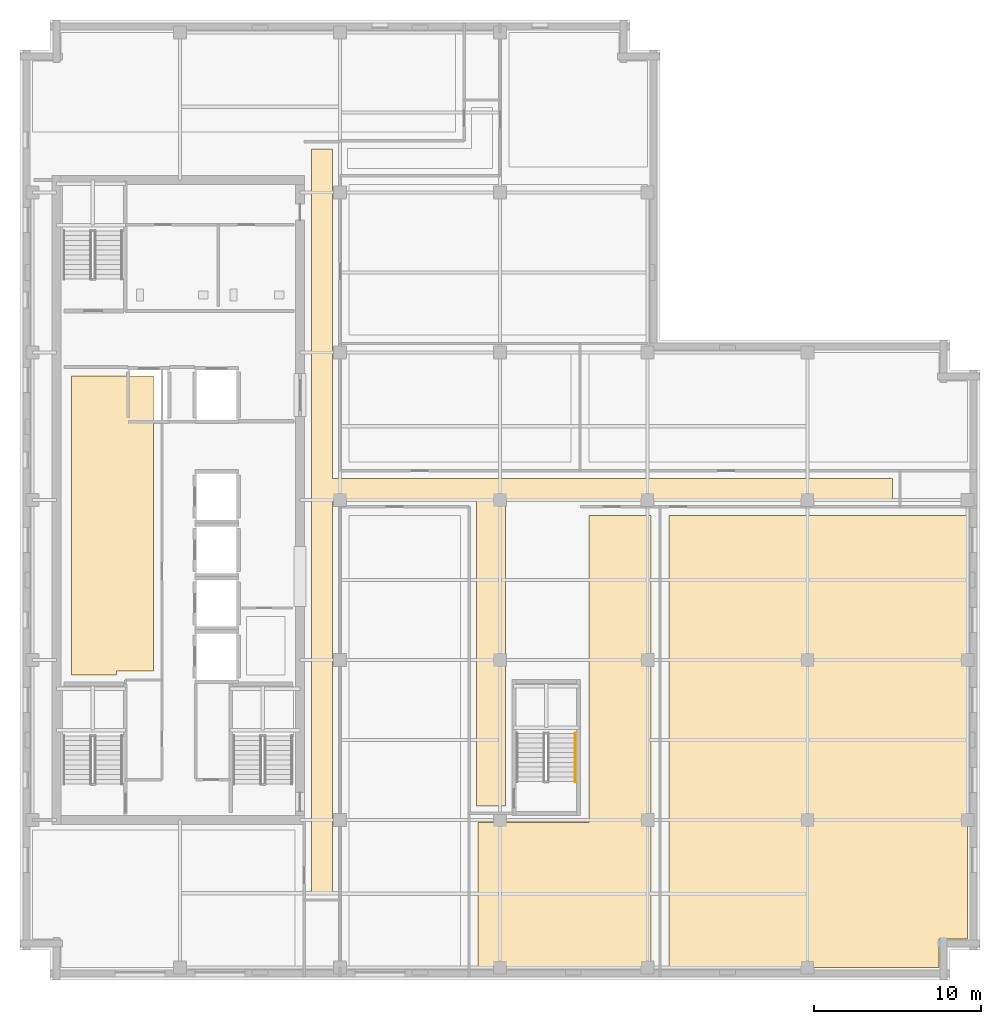
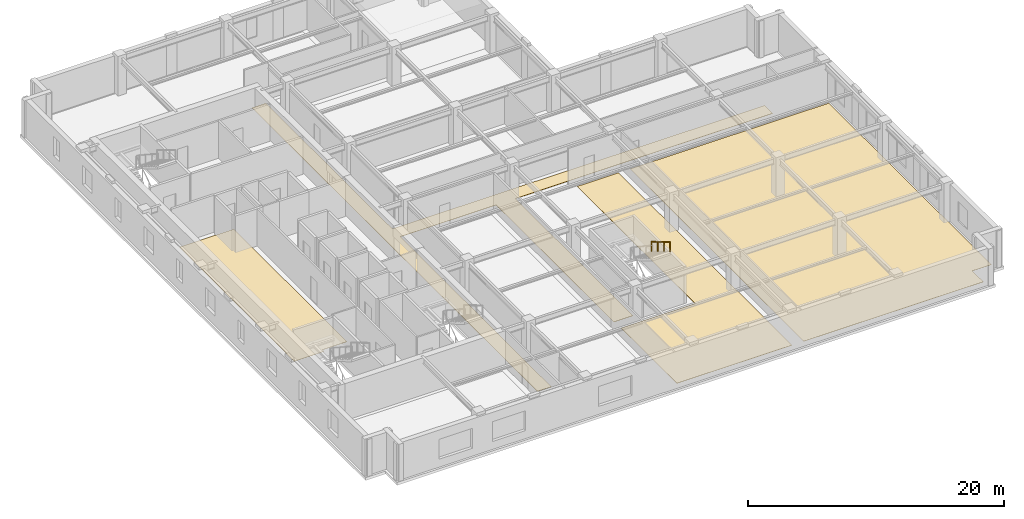
# One storey, part 8 of 11: 4 coverings, 1 railing.
"""IFC4 building model written with IfcOpenShell, lengths in metres."""

from ifc_helpers import new_model, si_unit, direction, frame, origin, origin_2d, place, context, subcontext, project, spatial, polyline, circle, outline, extrude, material, layer, layer_set, type_object, element, save


model = new_model("IFC4")

# Units and contexts
model_context = context("Model", 3, precision=1e-05, world=origin(), true_north=direction((0.0, 1.0)))
body_context = subcontext(model_context, "Body", "Model", "MODEL_VIEW")
ifc_project = project(units=[si_unit("LENGTHUNIT", "METRE"), si_unit("AREAUNIT", "SQUARE_METRE"), si_unit("VOLUMEUNIT", "CUBIC_METRE"), si_unit("PLANEANGLEUNIT", "RADIAN"), si_unit("MASSUNIT", "GRAM", prefix="KILO")], contexts=[model_context])

# Site, building, storey
site_placement = place(None, origin())
site = spatial("IfcSite", under=ifc_project, at=site_placement, CompositionType="ELEMENT")
building_placement = place(site_placement, origin())
building = spatial("IfcBuilding", under=site, at=building_placement, Name="Norrvale University Quadrangle", CompositionType="ELEMENT")
storey_placement = place(building_placement, frame((0.0, 0.0, 248.39990234375)))
storey = spatial("IfcBuildingStorey", under=building, at=storey_placement, Name="L63", CompositionType="ELEMENT", Elevation=248.39990234375)

# Coverings
ifc_material_1 = material(Name="Polished Terrazzo Flooring")
ifc_layer = layer(ifc_material_1, 0.02490234375, Name="Polished Terrazzo Flooring")
ifc_layer_set = layer_set([ifc_layer], Name="Polished Terrazzo Flooring")
covering_type = type_object("IfcCoveringType", Name="Covering Terrazzo Floor 30", PredefinedType="FLOORING", material=ifc_layer_set)
covering_1_placement = place(storey_placement, origin())
element("IfcCovering", 1, at=covering_1_placement, inside=storey, type_object=covering_type, Name="Terrazzo Flooring RM-L63-REC2", PredefinedType="FLOORING", context=body_context, shape_type="SweptSolid", body=[
    extrude(outline(polyline([(3.10009765625, 18.300048828125), (3.10009765625, 36.25), (8.0, 36.25), (8.0, 18.550048828125), (5.800048828125, 18.550048828125), (5.800048828125, 18.300048828125), (3.10009765625, 18.300048828125)])), origin(), (0.0, 0.0, 1.0), 0.025146484375),
])
covering_2_placement = place(storey_placement, origin())
element("IfcCovering", 2, at=covering_2_placement, inside=storey, type_object=covering_type, Name="Terrazzo Flooring RM-L63-CORR1", PredefinedType="FLOORING", context=body_context, shape_type="SweptSolid", body=[
    extrude(outline(polyline([(17.5, 5.25), (17.5, 49.85009765625), (18.75, 49.85009765625), (18.75, 30.10009765625), (52.35009765625, 30.10009765625), (52.35009765625, 28.85009765625), (29.1298828125, 28.85009765625), (29.1298828125, 10.449951171875), (27.39990234375, 10.449951171875), (27.39990234375, 28.85009765625), (18.75, 28.85009765625), (18.75, 5.25), (17.5, 5.25)])), origin(), (0.0, 0.0, 1.0), 0.025146484375),
])
covering_3_placement = place(storey_placement, origin())
element("IfcCovering", 3, at=covering_3_placement, inside=storey, type_object=covering_type, Name="Terrazzo Flooring RM-L63-SE2", PredefinedType="FLOORING", context=body_context, shape_type="SweptSolid", body=[
    extrude(outline(polyline([(27.47998046875, 9.449951171875), (34.14990234375, 9.449951171875), (34.14990234375, 27.8701171875), (37.8701171875, 27.8701171875), (37.8701171875, 0.75), (27.47998046875, 0.75), (27.47998046875, 9.449951171875)])), origin(), (0.0, 0.0, 1.0), 0.025146484375),
])
covering_4_placement = place(storey_placement, origin())
element("IfcCovering", 4, at=covering_4_placement, inside=storey, type_object=covering_type, Name="Terrazzo Flooring RM-L63-SE3", PredefinedType="FLOORING", context=body_context, shape_type="SweptSolid", body=[
    extrude(outline(polyline([(38.929931640625, 0.75), (38.929931640625, 27.8701171875), (56.85009765625, 27.8701171875), (56.85009765625, 2.469970703125), (55.1298828125, 2.469970703125), (55.1298828125, 0.75), (38.929931640625, 0.75)])), origin(), (0.0, 0.0, 1.0), 0.025146484375),
])

# Railing
ifc_material_2 = material(Name="Stainless Steel 316L Handrail", Category="steel")
railing_type = type_object("IfcRailingType", Name="Railing Stair Handrail 920", PredefinedType="HANDRAIL", material=ifc_material_2)
railing_placement = place(storey_placement, frame((33.31005859375, 14.800048828125, 2.07275390625)))
element("IfcRailing", 5, at=railing_placement, inside=storey, type_object=railing_type, Name="Stair Upper Flight Handrail ST-04 L63", PredefinedType="HANDRAIL", context=body_context, shape_type="SweptSolid", body=[
    extrude(circle(Radius=0.02392578125, at=origin_2d()), frame((0.0, 0.0, 0.89599609375), z_axis=(0.0, -0.859160404282, 0.51170636083), x_axis=(1.0, 0.0, 0.0)), (0.0, 0.0, 1.0), 3.37548828125),
    extrude(circle(Radius=0.02099609375, at=origin_2d()), origin(), (0.0, 0.0, 1.0), 0.871826171875),
    extrude(circle(Radius=0.02099609375, at=origin_2d()), frame((0.0, -0.966796875, 0.57568359375)), (0.0, 0.0, 1.0), 0.871826171875),
    extrude(circle(Radius=0.02099609375, at=origin_2d()), frame((0.0, -1.933349609375, 1.151611328125)), (0.0, 0.0, 1.0), 0.871826171875),
    extrude(circle(Radius=0.02099609375, at=origin_2d()), frame((0.0, -2.900146484375, 1.727294921875)), (0.0, 0.0, 1.0), 0.871826171875),
])

save(model, "model.ifc")
